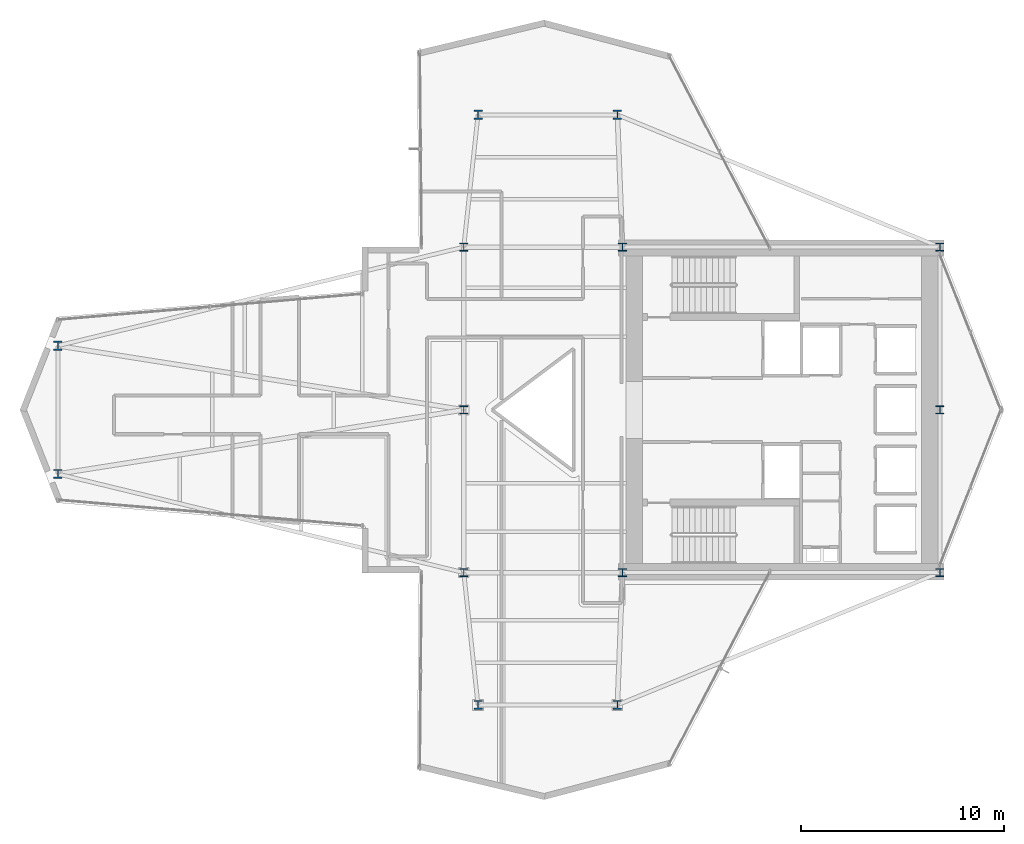
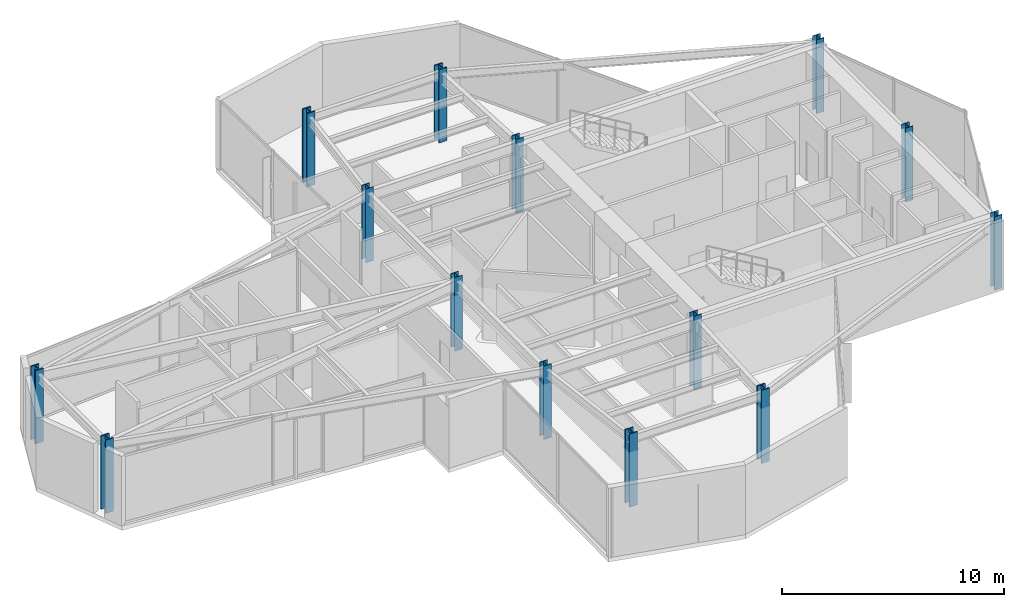
# One storey, part 1 of 25: 14 columns.
"""IFC4 building model written with IfcOpenShell, lengths in metres."""

from ifc_helpers import new_model, si_unit, direction, frame, origin, origin_2d, place, context, subcontext, project, spatial, i_section, extrude, material, material_profile, profile_set, type_object, element, save


model = new_model("IFC4")

# Units and contexts
model_context = context("Model", 3, precision=1e-05, world=origin(), true_north=direction((0.0, 1.0)))
body_context = subcontext(model_context, "Body", "Model", "MODEL_VIEW")
ifc_project = project(units=[si_unit("LENGTHUNIT", "METRE"), si_unit("AREAUNIT", "SQUARE_METRE"), si_unit("VOLUMEUNIT", "CUBIC_METRE"), si_unit("PLANEANGLEUNIT", "RADIAN"), si_unit("MASSUNIT", "GRAM", prefix="KILO")], contexts=[model_context])

# Site, building, storey
site_placement = place(None, origin())
site = spatial("IfcSite", under=ifc_project, at=site_placement, CompositionType="ELEMENT")
building_placement = place(site_placement, origin())
building = spatial("IfcBuilding", under=site, at=building_placement, Name="Veymaron Broadcast Tower", CompositionType="ELEMENT")
storey_placement = place(building_placement, frame((0.0, 0.0, 145.199951171875)))
storey = spatial("IfcBuildingStorey", under=building, at=storey_placement, Name="L33", CompositionType="ELEMENT", Elevation=145.199951171875)

# Columns
ifc_material_1 = material(Name="Structural steel ASTM A992 Gr 50", Category="steel")
ifc_material_profile_1 = material_profile(ifc_material_1, i_section(OverallWidth=0.39794921875, OverallDepth=0.386962890625, WebThickness=0.02099609375, FlangeThickness=0.033203125, at=origin_2d()), Name="W360X262")
ifc_profile_set_1 = profile_set([ifc_material_profile_1], Name="Structural steel ASTM A992 Gr 50")
column_type_1 = type_object("IfcColumnType", Name="COL-HC2", PredefinedType="COLUMN", material=ifc_profile_set_1)
for number, where, z_axis, x_axis, name in (
    (1, (31.199951171875, 16.0, 0.0), (0.0, 0.0, 1.0), (1.0, 0.0, 0.0), "L33 structural hub and core column"),
    (2, (31.199951171875, 24.0, 0.0), (0.0, 0.0, 1.0), (1.0, 0.0, 0.0), "L33 structural hub and core column"),
    (3, (31.199951171875, 32.0, 0.0), (0.0, 0.0, 1.0), (1.0, 0.0, 0.0), "L33 structural hub and core column"),
    (4, (39.0, 16.0, 0.0), (0.0, 0.0, 1.0), (1.0, 0.0, 0.0), "L33 structural hub and core column"),
    (5, (39.0, 32.0, 0.0), (0.0, 0.0, 1.0), (1.0, 0.0, 0.0), "L33 structural hub and core column"),
    (6, (54.60009765625, 16.0, 0.0), (0.0, 0.0, 1.0), (1.0, 0.0, 0.0), "L33 structural hub and core column"),
    (7, (54.60009765625, 24.0, 0.0), (0.0, 0.0, 1.0), (1.0, 0.0, 0.0), "L33 structural hub and core column"),
    (8, (54.60009765625, 32.0, 0.0), (0.0, 0.0, 1.0), (1.0, 0.0, 0.0), "L33 structural hub and core column"),
):
    element("IfcColumn", number, at=place(storey_placement, frame(where, z_axis=z_axis, x_axis=x_axis)), inside=storey, type_object=column_type_1, Name=name, PredefinedType="COLUMN", context=body_context, shape_type="SweptSolid", body=[
        extrude(i_section(OverallWidth=0.39794921875, OverallDepth=0.386962890625, WebThickness=0.02099609375, FlangeThickness=0.033203125, at=origin_2d()), origin(), (0.0, 0.0, 1.0), 4.0439453125),
    ])
ifc_material_2 = material(Name="Structural steel ASTM A913 Gr 65", Category="steel")
ifc_material_profile_2 = material_profile(ifc_material_2, i_section(OverallWidth=0.41796875, OverallDepth=0.455078125, WebThickness=0.0419921875, FlangeThickness=0.067626953125, at=origin_2d()), Name="W360X551")
ifc_profile_set_2 = profile_set([ifc_material_profile_2], Name="Structural steel ASTM A913 Gr 65")
column_type_2 = type_object("IfcColumnType", Name="COL-MC2", PredefinedType="COLUMN", material=ifc_profile_set_2)
for number, where, z_axis, x_axis, name in (
    (9, (11.25, 20.85009765625, 0.01611328125), (0.0, 0.0, 1.0), (1.0, 0.0, 0.0), "L33 Tapered Wing Mega Column"),
    (10, (11.25, 27.14990234375, 0.01611328125), (0.0, 0.0, 1.0), (1.0, 0.0, 0.0), "L33 Tapered Wing Mega Column"),
    (11, (31.89990234375, 38.5, 0.01611328125), (0.0, 0.0, 1.0), (1.0, 0.0, 0.0), "L33 Tapered Wing Mega Column"),
    (12, (38.75, 38.5, 0.01611328125), (0.0, 0.0, 1.0), (1.0, 0.0, 0.0), "L33 Tapered Wing Mega Column"),
    (13, (31.89990234375, 9.5, 0.01611328125), (0.0, 0.0, 1.0), (1.0, 0.0, 0.0), "L33 Tapered Wing Mega Column"),
    (14, (38.75, 9.5, 0.01611328125), (0.0, 0.0, 1.0), (1.0, 0.0, 0.0), "L33 Tapered Wing Mega Column"),
):
    element("IfcColumn", number, at=place(storey_placement, frame(where, z_axis=z_axis, x_axis=x_axis)), inside=storey, type_object=column_type_2, Name=name, PredefinedType="COLUMN", context=body_context, shape_type="SweptSolid", body=[
        extrude(i_section(OverallWidth=0.41796875, OverallDepth=0.455078125, WebThickness=0.0419921875, FlangeThickness=0.067626953125, at=origin_2d()), origin(), (0.0, 0.0, 1.0), 4.017822265625),
    ])

save(model, "model.ifc")
